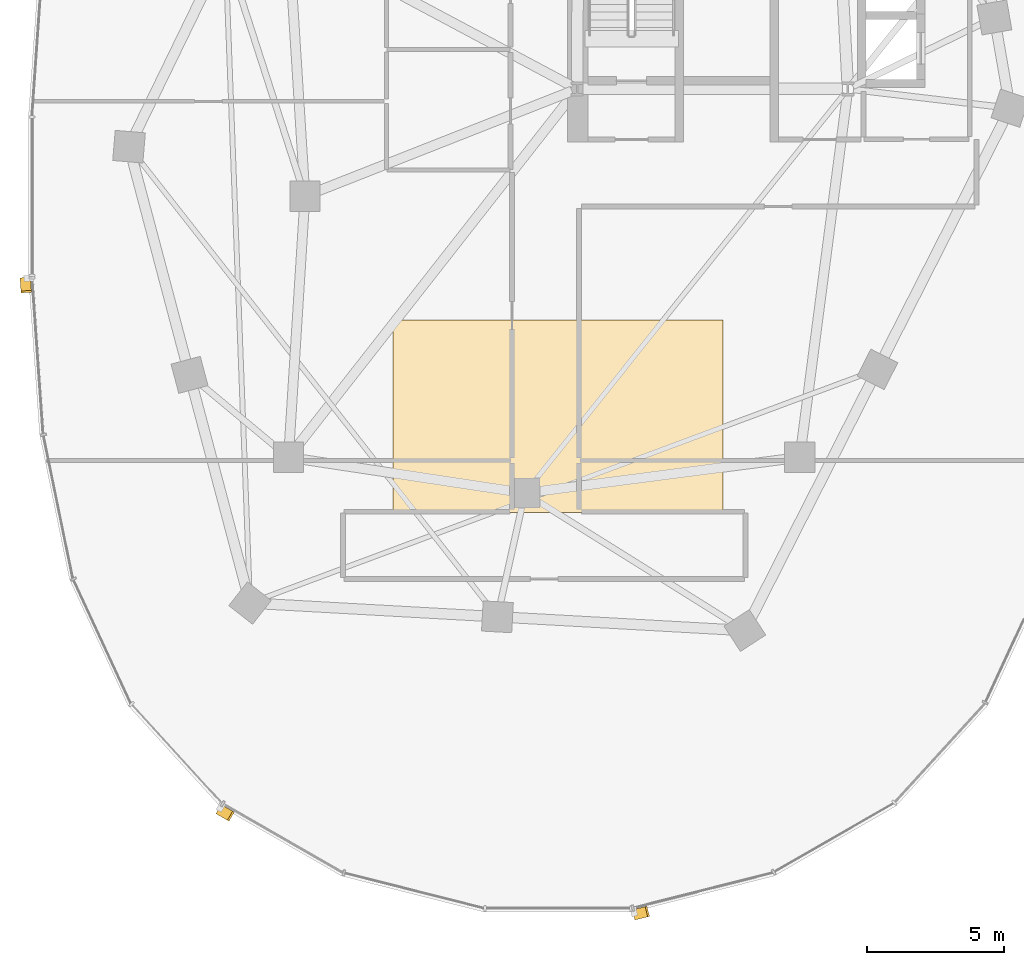
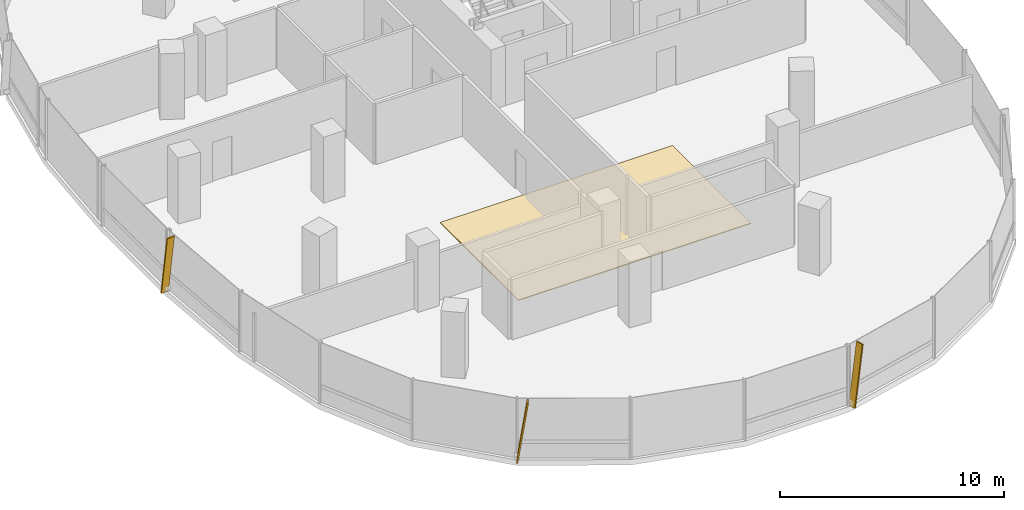
# One storey, part 17 of 21: 3 shading devices, 1 covering.
"""IFC4 building model written with IfcOpenShell, lengths in metres."""

from ifc_helpers import new_model, si_unit, direction, frame, origin, origin_2d, place, context, subcontext, project, spatial, polyline, rectangle, outline, extrude, material, layer, layer_set, material_profile, profile_set, type_object, element, save


model = new_model("IFC4")

# Units and contexts
model_context = context("Model", 3, precision=1e-05, world=origin(), true_north=direction((0.0, 1.0)))
body_context = subcontext(model_context, "Body", "Model", "MODEL_VIEW")
ifc_project = project(units=[si_unit("LENGTHUNIT", "METRE"), si_unit("AREAUNIT", "SQUARE_METRE"), si_unit("VOLUMEUNIT", "CUBIC_METRE"), si_unit("PLANEANGLEUNIT", "RADIAN"), si_unit("MASSUNIT", "GRAM", prefix="KILO"), si_unit("THERMODYNAMICTEMPERATUREUNIT", "KELVIN"), si_unit("POWERUNIT", "WATT")], contexts=[model_context])

# Site, building, storey
site_placement = place(None, origin())
site = spatial("IfcSite", under=ifc_project, at=site_placement, CompositionType="ELEMENT")
building_placement = place(site_placement, origin())
building = spatial("IfcBuilding", under=site, at=building_placement, Name="Cundina Bronze Exchange", CompositionType="ELEMENT")
storey_placement = place(building_placement, frame((0.0, 0.0, 92.60009765625)))
storey = spatial("IfcBuildingStorey", under=building, at=storey_placement, Name="L23", CompositionType="ELEMENT", Elevation=92.60009765625)

# Covering
ifc_material_1 = material(Name="Raised Access Steel-Cementitious Floor Panel 40mm", Category="steel")
ifc_layer = layer(ifc_material_1, 0.0400390625, Name="Raised Access Steel-Cementitious Floor Panel 40mm", Category="steel")
ifc_layer_set = layer_set([ifc_layer], Name="Raised Access Steel-Cementitious Floor Panel 40mm")
covering_type = type_object("IfcCoveringType", Name="COV-FLR-RAF40", PredefinedType="FLOORING", material=ifc_layer_set)
covering_placement = place(storey_placement, origin())
element("IfcCovering", 1, at=covering_placement, inside=storey, type_object=covering_type, Name="L23 W UFAD Raised Access Trading Floor", PredefinedType="FLOORING", context=body_context, shape_type="SweptSolid", body=[
    extrude(outline(polyline([(-38.0, -11.5), (-26.0, -11.5), (-26.0, -4.5), (-38.0, -4.5), (-38.0, -11.5)])), origin(), (0.0, 0.0, 1.0), 0.039794921875),
])

# Shading devices
ifc_material_2 = material(Name="Anodised Bronze Aluminium 6063-T6", Category="aluminium")
ifc_material_profile = material_profile(ifc_material_2, rectangle(XDim=0.070068359375, YDim=0.3798828125, at=origin_2d()), Name="FIN70X380", Category="aluminium")
ifc_profile_set = profile_set([ifc_material_profile], Name="Anodised Bronze Aluminium 6063-T6")
shading_device_type = type_object("IfcShadingDeviceType", Name="SHD-FIN-BRZ380", PredefinedType="USERDEFINED", material=ifc_profile_set)
for number, where, z_axis, x_axis, name in (
    (2, (-51.3740234375, -2.993896484375, 0.02001953125), (0.01022529535, -0.145302928853, 0.989334373304), (-0.069449940286, 0.986893716667, 0.145662273078), "L23 Diagonal Bronze Solar Fin 1"),
    (3, (-44.314208984375, -22.314208984375, 0.02001953125), (0.126333952546, -0.072540140494, 0.989331926328), (-0.857956914638, 0.492633325179, 0.145678891912), "L23 Diagonal Bronze Solar Fin 5"),
    (4, (-29.212646484375, -26.138427734375, 0.02001953125), (0.141227399308, 0.035714379048, 0.989332757374), (-0.959138992792, -0.242552463025, 0.145673248011), "L23 Diagonal Bronze Solar Fin 1"),
):
    element("IfcShadingDevice", number, at=place(storey_placement, frame(where, z_axis=z_axis, x_axis=x_axis)), inside=storey, type_object=shading_device_type, Name=name, ObjectType="FIN", PredefinedType="USERDEFINED", context=body_context, shape_type="SweptSolid", body=[
        extrude(rectangle(XDim=0.070068359375, YDim=0.3798828125, at=origin_2d()), origin(), (0.0, 0.0, 1.0), 3.294921875),
    ])

save(model, "model.ifc")
